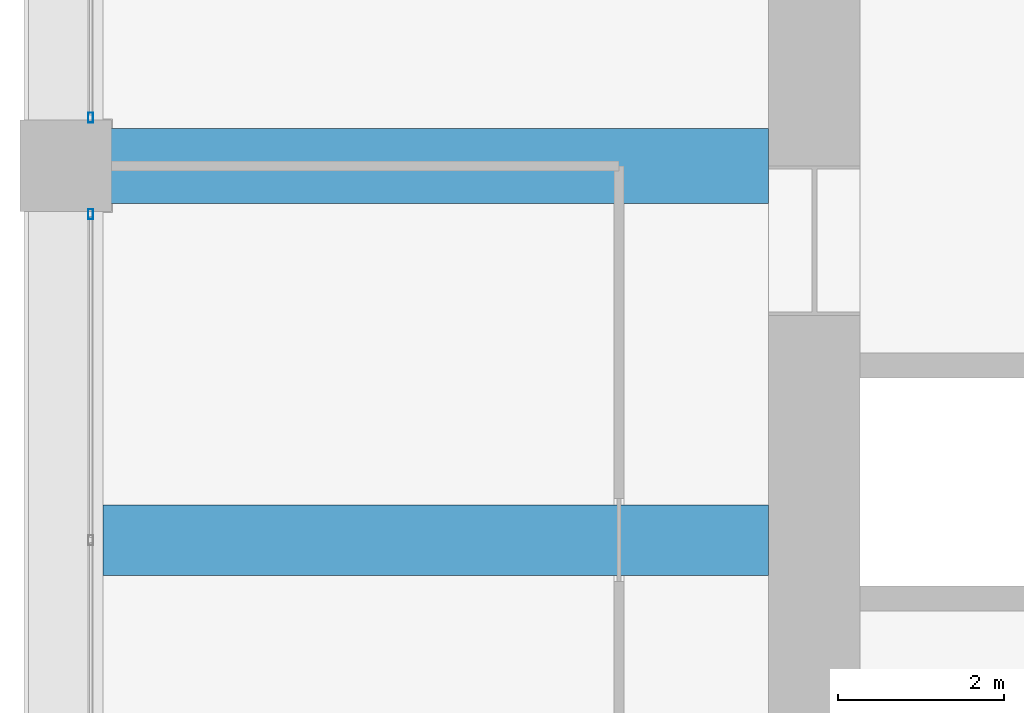
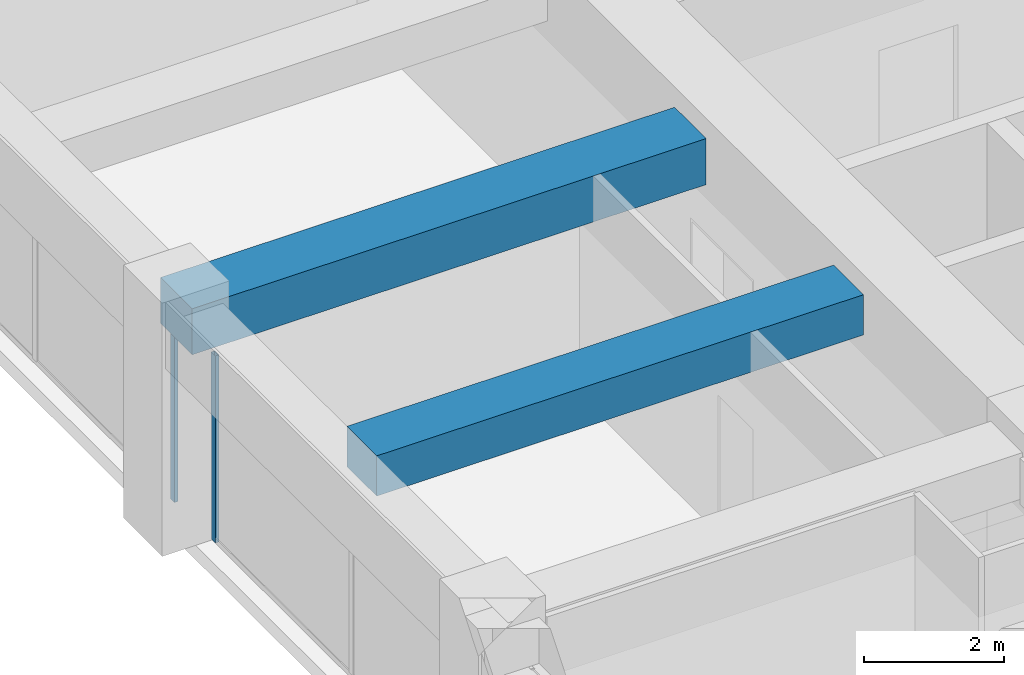
# One storey, part 15 of 44: 2 beams, 2 members, 2 elements without a shape of their own.
"""IFC4 building model written with IfcOpenShell, lengths in metres."""

from ifc_helpers import new_model, si_unit, direction, frame, origin, origin_2d, place, context, subcontext, project, spatial, rectangle, hollow_rectangle, extrude, material, material_profile, profile_set, type_object, element, aggregate, save


model = new_model("IFC4")

# Units and contexts
model_context = context("Model", 3, precision=1e-05, world=origin(), true_north=direction((0.0, 1.0)))
body_context = subcontext(model_context, "Body", "Model", "MODEL_VIEW")
ifc_project = project(units=[si_unit("LENGTHUNIT", "METRE"), si_unit("AREAUNIT", "SQUARE_METRE"), si_unit("VOLUMEUNIT", "CUBIC_METRE"), si_unit("PLANEANGLEUNIT", "RADIAN"), si_unit("MASSUNIT", "GRAM", prefix="KILO")], contexts=[model_context])

# Site, building, storey
site_placement = place(None, origin())
site = spatial("IfcSite", under=ifc_project, at=site_placement, CompositionType="ELEMENT")
building_placement = place(site_placement, origin())
building = spatial("IfcBuilding", under=site, at=building_placement, Name="Zorevar Civic Tower", CompositionType="ELEMENT")
storey_placement = place(building_placement, frame((0.0, 0.0, 307.39990234375)))
storey = spatial("IfcBuildingStorey", under=building, at=storey_placement, Name="L75", CompositionType="ELEMENT", Elevation=307.39990234375)

# Beams
ifc_material_1 = material(Name="Concrete C50/60", Category="concrete")
ifc_material_profile_1 = material_profile(ifc_material_1, rectangle(XDim=0.85009765625, YDim=0.699951171875, at=origin_2d()), Name="RC 850x700")
ifc_profile_set_1 = profile_set([ifc_material_profile_1], Name="Concrete C50/60")
beam_type_1 = type_object("IfcBeamType", Name="Beam RC 850x700", PredefinedType="BEAM", material=ifc_profile_set_1)
beam_1_placement = place(storey_placement, frame((9.449951171875, 22.5, 3.7001953125), z_axis=(1.0, 0.0, 0.0), x_axis=(0.0, 1.0, 0.0)))
element("IfcBeam", 1, at=beam_1_placement, inside=storey, type_object=beam_type_1, Name="Secondary beam RF", PredefinedType="BEAM", context=body_context, shape_type="SweptSolid", body=[
    extrude(rectangle(XDim=0.85009765625, YDim=0.699951171875, at=origin_2d()), origin(), (0.0, 0.0, 1.0), 8.0),
])
ifc_material_2 = material(Name="Concrete C50/60", Category="concrete")
ifc_material_profile_2 = material_profile(ifc_material_2, rectangle(XDim=0.89990234375, YDim=0.800048828125, at=origin_2d()), Name="RC 900x800")
ifc_profile_set_2 = profile_set([ifc_material_profile_2], Name="Concrete C50/60")
beam_type_2 = type_object("IfcBeamType", Name="Beam RC 900x800", PredefinedType="BEAM", material=ifc_profile_set_2)
beam_2_placement = place(storey_placement, frame((9.0, 27.0, 3.650146484375), z_axis=(1.0, 0.0, 0.0), x_axis=(0.0, 1.0, 0.0)))
element("IfcBeam", 2, at=beam_2_placement, inside=storey, type_object=beam_type_2, Name="Girder RF", PredefinedType="BEAM", context=body_context, shape_type="SweptSolid", body=[
    extrude(rectangle(XDim=0.89990234375, YDim=0.800048828125, at=origin_2d()), origin(), (0.0, 0.0, 1.0), 8.449951171875),
])

# Curtain wall, member
ifc_material_3 = material(Name="Dark grey solar-control glass in black aluminium frame", Category="aluminium")
curtain_wall_type = type_object("IfcCurtainWallType", Name="Curtain wall CW5 top zone", PredefinedType="NOTDEFINED", material=ifc_material_3)
curtain_wall_1_placement = place(storey_placement, origin())
curtain_wall_1 = element("IfcCurtainWall", 3, at=curtain_wall_1_placement, inside=storey, type_object=curtain_wall_type, Name="CW5 L75", PredefinedType="NOTDEFINED")
ifc_material_4 = material(Name="Aluminium, black anodised", Category="aluminium")
ifc_material_profile_3 = material_profile(ifc_material_4, hollow_rectangle(XDim=0.06005859375, YDim=0.1201171875, WallThickness=0.0029296875, at=origin_2d()), Name="AL 120x60x3")
ifc_profile_set_3 = profile_set([ifc_material_profile_3], Name="Aluminium, black anodised")
member_type = type_object("IfcMemberType", Name="CW5 mullion AL 120x60x3", PredefinedType="MULLION", material=ifc_profile_set_3)
member_1_placement = place(storey_placement, frame((9.300048828125, 26.419921875, 0.0), z_axis=(0.0, 0.0, 1.0), x_axis=(-1.0, 0.0, 0.0)))
member_1 = element("IfcMember", 4, at=member_1_placement, type_object=member_type, Name="CW5 mullion 3", PredefinedType="MULLION", context=body_context, shape_type="SweptSolid", body=[
    extrude(hollow_rectangle(XDim=0.06005859375, YDim=0.1201171875, WallThickness=0.0029296875, at=origin_2d()), origin(), (0.0, 0.0, 1.0), 3.25),
])
aggregate(curtain_wall_1, [member_1])

curtain_wall_2_placement = place(storey_placement, origin())
curtain_wall_2 = element("IfcCurtainWall", 5, at=curtain_wall_2_placement, inside=storey, type_object=curtain_wall_type, Name="CW5 L75", PredefinedType="NOTDEFINED")
member_2_placement = place(storey_placement, frame((9.300048828125, 27.580078125, 0.0), z_axis=(0.0, 0.0, 1.0), x_axis=(-1.0, 0.0, 0.0)))
member_2 = element("IfcMember", 6, at=member_2_placement, type_object=member_type, Name="CW5 mullion 1", PredefinedType="MULLION", context=body_context, shape_type="SweptSolid", body=[
    extrude(hollow_rectangle(XDim=0.06005859375, YDim=0.1201171875, WallThickness=0.0029296875, at=origin_2d()), origin(), (0.0, 0.0, 1.0), 3.25),
])
aggregate(curtain_wall_2, [member_2])

save(model, "model.ifc")
